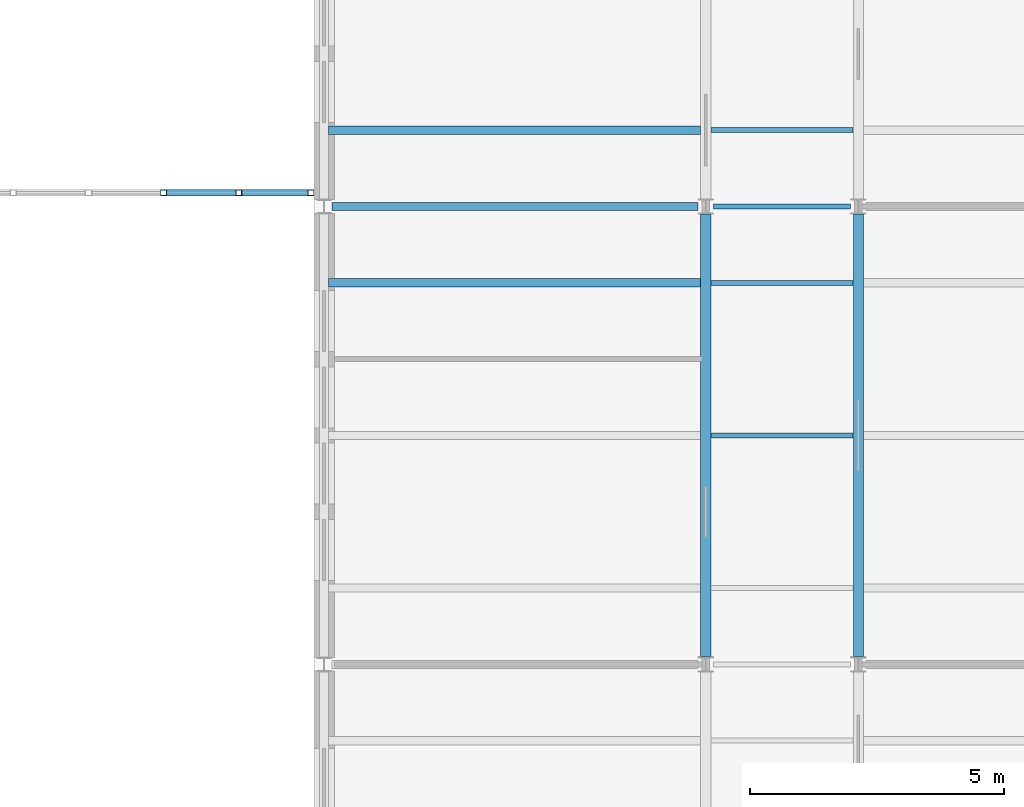
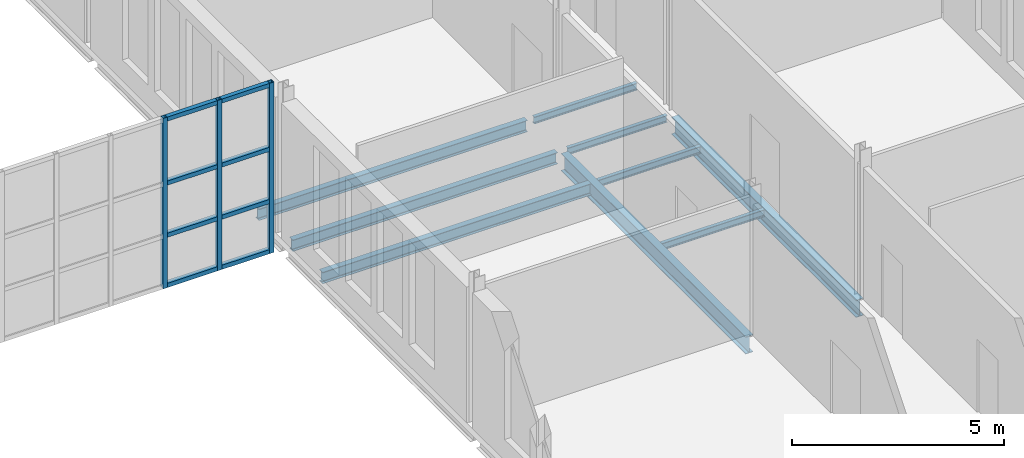
# One storey, part 35 of 134: 11 members, 9 beams, 1 element without a shape of its own.
"""IFC4 building model written with IfcOpenShell, lengths in metres."""

from ifc_helpers import new_model, si_unit, direction, frame, origin, origin_2d, place, context, subcontext, project, spatial, hollow_rectangle, i_section, extrude, material, material_profile, profile_set, type_object, element, aggregate, save


model = new_model("IFC4")

# Units and contexts
model_context = context("Model", 3, precision=1e-05, world=origin(), true_north=direction((0.0, 1.0)))
body_context = subcontext(model_context, "Body", "Model", "MODEL_VIEW")
ifc_project = project(units=[si_unit("LENGTHUNIT", "METRE"), si_unit("AREAUNIT", "SQUARE_METRE"), si_unit("VOLUMEUNIT", "CUBIC_METRE"), si_unit("PLANEANGLEUNIT", "RADIAN"), si_unit("MASSUNIT", "GRAM", prefix="KILO")], contexts=[model_context])

# Site, building, storey
site_placement = place(None, origin())
site = spatial("IfcSite", under=ifc_project, at=site_placement, CompositionType="ELEMENT")
building_placement = place(site_placement, origin())
building = spatial("IfcBuilding", under=site, at=building_placement, Name="Golden Quay Civic Hall", CompositionType="ELEMENT")
storey_placement = place(building_placement, frame((0.0, 0.0, 5.39990234375)))
storey = spatial("IfcBuildingStorey", under=building, at=storey_placement, Name="L01", CompositionType="ELEMENT", Elevation=5.39990234375)

# Curtain wall, members
ifc_material_1 = material(Name="Fire-resisting glass and steel", Category="steel")
curtain_wall_type = type_object("IfcCurtainWallType", Name="Fire-resisting glazed curtain wall EI 120", PredefinedType="NOTDEFINED", material=ifc_material_1)
curtain_wall_placement = place(storey_placement, origin())
curtain_wall = element("IfcCurtainWall", 1, at=curtain_wall_placement, inside=storey, type_object=curtain_wall_type, Name="CW3 curtain wall", PredefinedType="NOTDEFINED")
ifc_material_2 = material(Name="Steel S355", Category="steel")
ifc_material_profile_1 = material_profile(ifc_material_2, hollow_rectangle(XDim=0.1201171875, YDim=0.1201171875, WallThickness=0.008056640625, at=origin_2d()), Name="SHS 120x120x8")
ifc_profile_set_1 = profile_set([ifc_material_profile_1], Name="Steel S355")
member_type_1 = type_object("IfcMemberType", Name="Fire-resisting steel mullion SHS 120x120x8", PredefinedType="MULLION", material=ifc_profile_set_1)
member_1_placement = place(storey_placement, frame((95.844482421875, 36.27001953125, -0.599853515625), z_axis=(0.0, 0.0, 1.0), x_axis=(0.0, 1.0, 0.0)))
member_1 = element("IfcMember", 2, at=member_1_placement, type_object=member_type_1, Name="CW3 mullion 17", PredefinedType="MULLION", context=body_context, shape_type="SweptSolid", body=[
    extrude(hollow_rectangle(XDim=0.1201171875, YDim=0.1201171875, WallThickness=0.008056640625, at=origin_2d()), origin(), (0.0, 0.0, 1.0), 4.89990234375),
])
member_2_placement = place(storey_placement, frame((97.322265625, 36.27001953125, -0.599853515625), z_axis=(0.0, 0.0, 1.0), x_axis=(0.0, 1.0, 0.0)))
member_2 = element("IfcMember", 3, at=member_2_placement, type_object=member_type_1, Name="CW3 mullion 18", PredefinedType="MULLION", context=body_context, shape_type="SweptSolid", body=[
    extrude(hollow_rectangle(XDim=0.1201171875, YDim=0.1201171875, WallThickness=0.008056640625, at=origin_2d()), origin(), (0.0, 0.0, 1.0), 4.89990234375),
])
member_3_placement = place(storey_placement, frame((98.739990234375, 36.27001953125, -0.599853515625), z_axis=(0.0, 0.0, 1.0), x_axis=(0.0, 1.0, 0.0)))
member_3 = element("IfcMember", 4, at=member_3_placement, type_object=member_type_1, Name="CW3 mullion 19", PredefinedType="MULLION", context=body_context, shape_type="SweptSolid", body=[
    extrude(hollow_rectangle(XDim=0.1201171875, YDim=0.1201171875, WallThickness=0.008056640625, at=origin_2d()), origin(), (0.0, 0.0, 1.0), 4.89990234375),
])
ifc_material_3 = material(Name="Steel S355", Category="steel")
ifc_material_profile_2 = material_profile(ifc_material_3, hollow_rectangle(XDim=0.1201171875, YDim=0.1201171875, WallThickness=0.008056640625, at=origin_2d()), Name="SHS 120x120x8")
ifc_profile_set_2 = profile_set([ifc_material_profile_2], Name="Steel S355")
member_type_2 = type_object("IfcMemberType", Name="Fire-resisting steel transom SHS 120x120x8", PredefinedType="USERDEFINED", material=ifc_profile_set_2)
member_4_placement = place(storey_placement, frame((95.904541015625, 36.27001953125, -0.539794921875), z_axis=(1.0, 0.0, 0.0), x_axis=(0.0, 1.0, 0.0)))
member_4 = element("IfcMember", 5, at=member_4_placement, type_object=member_type_2, Name="CW3 transom 17.1", ObjectType="TRANSOM", PredefinedType="USERDEFINED", context=body_context, shape_type="SweptSolid", body=[
    extrude(hollow_rectangle(XDim=0.1201171875, YDim=0.1201171875, WallThickness=0.008056640625, at=origin_2d()), origin(), (0.0, 0.0, 1.0), 1.357666015625),
])
member_5_placement = place(storey_placement, frame((95.904541015625, 36.27001953125, 0.900146484375), z_axis=(1.0, 0.0, 0.0), x_axis=(0.0, 1.0, 0.0)))
member_5 = element("IfcMember", 6, at=member_5_placement, type_object=member_type_2, Name="CW3 transom 17.2", ObjectType="TRANSOM", PredefinedType="USERDEFINED", context=body_context, shape_type="SweptSolid", body=[
    extrude(hollow_rectangle(XDim=0.1201171875, YDim=0.1201171875, WallThickness=0.008056640625, at=origin_2d()), origin(), (0.0, 0.0, 1.0), 1.357666015625),
])
member_6_placement = place(storey_placement, frame((95.904541015625, 36.27001953125, 2.400146484375), z_axis=(1.0, 0.0, 0.0), x_axis=(0.0, 1.0, 0.0)))
member_6 = element("IfcMember", 7, at=member_6_placement, type_object=member_type_2, Name="CW3 transom 17.3", ObjectType="TRANSOM", PredefinedType="USERDEFINED", context=body_context, shape_type="SweptSolid", body=[
    extrude(hollow_rectangle(XDim=0.1201171875, YDim=0.1201171875, WallThickness=0.008056640625, at=origin_2d()), origin(), (0.0, 0.0, 1.0), 1.357666015625),
])
member_7_placement = place(storey_placement, frame((95.904541015625, 36.27001953125, 4.239990234375), z_axis=(1.0, 0.0, 0.0), x_axis=(0.0, 1.0, 0.0)))
member_7 = element("IfcMember", 8, at=member_7_placement, type_object=member_type_2, Name="CW3 transom 17.4", ObjectType="TRANSOM", PredefinedType="USERDEFINED", context=body_context, shape_type="SweptSolid", body=[
    extrude(hollow_rectangle(XDim=0.1201171875, YDim=0.1201171875, WallThickness=0.008056640625, at=origin_2d()), origin(), (0.0, 0.0, 1.0), 1.357666015625),
])
member_8_placement = place(storey_placement, frame((97.38232421875, 36.27001953125, -0.539794921875), z_axis=(1.0, 0.0, 0.0), x_axis=(0.0, 1.0, 0.0)))
member_8 = element("IfcMember", 9, at=member_8_placement, type_object=member_type_2, Name="CW3 transom 18.1", ObjectType="TRANSOM", PredefinedType="USERDEFINED", context=body_context, shape_type="SweptSolid", body=[
    extrude(hollow_rectangle(XDim=0.1201171875, YDim=0.1201171875, WallThickness=0.008056640625, at=origin_2d()), origin(), (0.0, 0.0, 1.0), 1.297607421875),
])
member_9_placement = place(storey_placement, frame((97.38232421875, 36.27001953125, 0.900146484375), z_axis=(1.0, 0.0, 0.0), x_axis=(0.0, 1.0, 0.0)))
member_9 = element("IfcMember", 10, at=member_9_placement, type_object=member_type_2, Name="CW3 transom 18.2", ObjectType="TRANSOM", PredefinedType="USERDEFINED", context=body_context, shape_type="SweptSolid", body=[
    extrude(hollow_rectangle(XDim=0.1201171875, YDim=0.1201171875, WallThickness=0.008056640625, at=origin_2d()), origin(), (0.0, 0.0, 1.0), 1.297607421875),
])
member_10_placement = place(storey_placement, frame((97.38232421875, 36.27001953125, 2.400146484375), z_axis=(1.0, 0.0, 0.0), x_axis=(0.0, 1.0, 0.0)))
member_10 = element("IfcMember", 11, at=member_10_placement, type_object=member_type_2, Name="CW3 transom 18.3", ObjectType="TRANSOM", PredefinedType="USERDEFINED", context=body_context, shape_type="SweptSolid", body=[
    extrude(hollow_rectangle(XDim=0.1201171875, YDim=0.1201171875, WallThickness=0.008056640625, at=origin_2d()), origin(), (0.0, 0.0, 1.0), 1.297607421875),
])
member_11_placement = place(storey_placement, frame((97.38232421875, 36.27001953125, 4.239990234375), z_axis=(1.0, 0.0, 0.0), x_axis=(0.0, 1.0, 0.0)))
member_11 = element("IfcMember", 12, at=member_11_placement, type_object=member_type_2, Name="CW3 transom 18.4", ObjectType="TRANSOM", PredefinedType="USERDEFINED", context=body_context, shape_type="SweptSolid", body=[
    extrude(hollow_rectangle(XDim=0.1201171875, YDim=0.1201171875, WallThickness=0.008056640625, at=origin_2d()), origin(), (0.0, 0.0, 1.0), 1.297607421875),
])
aggregate(curtain_wall, [member_1, member_2, member_3, member_4, member_5, member_6, member_7, member_8, member_9, member_10, member_11])

# Beams
ifc_material_4 = material(Name="Steel S355", Category="steel")
ifc_material_profile_3 = material_profile(ifc_material_4, i_section(OverallWidth=0.10009765625, OverallDepth=0.199951171875, WebThickness=0.005615234375, FlangeThickness=0.008544921875, FilletRadius=0.011962890625, at=origin_2d()), Name="IPE 200")
ifc_profile_set_3 = profile_set([ifc_material_profile_3], Name="Steel S355")
beam_type_1 = type_object("IfcBeamType", Name="Steel beam IPE 200", PredefinedType="BEAM", material=ifc_profile_set_3)
beam_1_placement = place(storey_placement, frame((106.64990234375, 36.0, -0.2998046875), z_axis=(1.0, 0.0, 0.0), x_axis=(0.0, 1.0, 0.0)))
element("IfcBeam", 13, at=beam_1_placement, inside=storey, type_object=beam_type_1, Name="Beam S36-106.5", PredefinedType="BEAM", context=body_context, shape_type="SweptSolid", body=[
    extrude(i_section(OverallWidth=0.10009765625, OverallDepth=0.199951171875, WebThickness=0.005615234375, FlangeThickness=0.008544921875, FilletRadius=0.011962890625, at=origin_2d()), origin(), (0.0, 0.0, 1.0), 2.7001953125),
])
ifc_material_5 = material(Name="Steel S355", Category="steel")
ifc_material_profile_4 = material_profile(ifc_material_5, i_section(OverallWidth=0.159912109375, OverallDepth=0.330078125, WebThickness=0.007568359375, FlangeThickness=0.011474609375, FilletRadius=0.01806640625, at=origin_2d()), Name="IPE 330")
ifc_profile_set_4 = profile_set([ifc_material_profile_4], Name="Steel S355")
beam_type_2 = type_object("IfcBeamType", Name="Steel beam IPE 330", PredefinedType="BEAM", material=ifc_profile_set_4)
beam_2_placement = place(storey_placement, frame((99.14990234375, 36.0, -0.364990234375), z_axis=(1.0, 0.0, 0.0), x_axis=(0.0, 1.0, 0.0)))
element("IfcBeam", 14, at=beam_2_placement, inside=storey, type_object=beam_type_2, Name="Beam S36-99", PredefinedType="BEAM", context=body_context, shape_type="SweptSolid", body=[
    extrude(i_section(OverallWidth=0.159912109375, OverallDepth=0.330078125, WebThickness=0.007568359375, FlangeThickness=0.011474609375, FilletRadius=0.01806640625, at=origin_2d()), origin(), (0.0, 0.0, 1.0), 7.2001953125),
])
ifc_material_6 = material(Name="Steel S355", Category="steel")
ifc_material_profile_5 = material_profile(ifc_material_6, i_section(OverallWidth=0.199951171875, OverallDepth=0.5, WebThickness=0.01025390625, FlangeThickness=0.01611328125, FilletRadius=0.02099609375, at=origin_2d()), Name="IPE 500")
ifc_profile_set_5 = profile_set([ifc_material_profile_5], Name="Steel S355")
beam_type_3 = type_object("IfcBeamType", Name="Steel beam IPE 500", PredefinedType="BEAM", material=ifc_profile_set_5)
for number, where, z_axis, x_axis, name in (
    (15, (106.5, 27.14990234375, -0.449951171875), (0.0, 1.0, 0.0), (-1.0, 0.0, 0.0), "Beam L106.5-27"),
    (16, (109.5, 27.14990234375, -0.449951171875), (0.0, 1.0, 0.0), (-1.0, 0.0, 0.0), "Beam L109.5-27"),
):
    element("IfcBeam", number, at=place(storey_placement, frame(where, z_axis=z_axis, x_axis=x_axis)), inside=storey, type_object=beam_type_3, Name=name, PredefinedType="BEAM", context=body_context, shape_type="SweptSolid", body=[
        extrude(i_section(OverallWidth=0.199951171875, OverallDepth=0.5, WebThickness=0.01025390625, FlangeThickness=0.01611328125, FilletRadius=0.02099609375, at=origin_2d()), origin(), (0.0, 0.0, 1.0), 8.7001953125),
    ])
ifc_material_7 = material(Name="Steel S355", Category="steel")
ifc_material_profile_6 = material_profile(ifc_material_7, i_section(OverallWidth=0.10009765625, OverallDepth=0.199951171875, WebThickness=0.005615234375, FlangeThickness=0.008544921875, FilletRadius=0.011962890625, at=origin_2d()), Name="IPE 200")
ifc_profile_set_6 = profile_set([ifc_material_profile_6], Name="Steel S355")
beam_type_4 = type_object("IfcBeamType", Name="Steel joist IPE 200", PredefinedType="JOIST", material=ifc_profile_set_6)
for number, where, z_axis, x_axis, name in (
    (17, (106.60009765625, 31.5, -0.2998046875), (1.0, 0.0, 0.0), (0.0, 1.0, 0.0), "Joist J31.5-106.5"),
    (18, (106.60009765625, 34.5, -0.2998046875), (1.0, 0.0, 0.0), (0.0, 1.0, 0.0), "Joist J34.5-106.5"),
    (19, (106.60009765625, 37.5, -0.2998046875), (1.0, 0.0, 0.0), (0.0, 1.0, 0.0), "Joist J37.5-106.5"),
):
    element("IfcBeam", number, at=place(storey_placement, frame(where, z_axis=z_axis, x_axis=x_axis)), inside=storey, type_object=beam_type_4, Name=name, PredefinedType="JOIST", context=body_context, shape_type="SweptSolid", body=[
        extrude(i_section(OverallWidth=0.10009765625, OverallDepth=0.199951171875, WebThickness=0.005615234375, FlangeThickness=0.008544921875, FilletRadius=0.011962890625, at=origin_2d()), origin(), (0.0, 0.0, 1.0), 2.7998046875),
    ])
ifc_material_8 = material(Name="Steel S355", Category="steel")
ifc_material_profile_7 = material_profile(ifc_material_8, i_section(OverallWidth=0.159912109375, OverallDepth=0.330078125, WebThickness=0.007568359375, FlangeThickness=0.011474609375, FilletRadius=0.01806640625, at=origin_2d()), Name="IPE 330")
ifc_profile_set_7 = profile_set([ifc_material_profile_7], Name="Steel S355")
beam_type_5 = type_object("IfcBeamType", Name="Steel joist IPE 330", PredefinedType="JOIST", material=ifc_profile_set_7)
for number, where, z_axis, x_axis, name in (
    (20, (99.090087890625, 34.5, -0.364990234375), (1.0, 0.0, 0.0), (0.0, 1.0, 0.0), "Joist J34.5-99"),
    (21, (99.090087890625, 37.5, -0.364990234375), (1.0, 0.0, 0.0), (0.0, 1.0, 0.0), "Joist J37.5-99"),
):
    element("IfcBeam", number, at=place(storey_placement, frame(where, z_axis=z_axis, x_axis=x_axis)), inside=storey, type_object=beam_type_5, Name=name, PredefinedType="JOIST", context=body_context, shape_type="SweptSolid", body=[
        extrude(i_section(OverallWidth=0.159912109375, OverallDepth=0.330078125, WebThickness=0.007568359375, FlangeThickness=0.011474609375, FilletRadius=0.01806640625, at=origin_2d()), origin(), (0.0, 0.0, 1.0), 7.309814453125),
    ])

save(model, "model.ifc")
